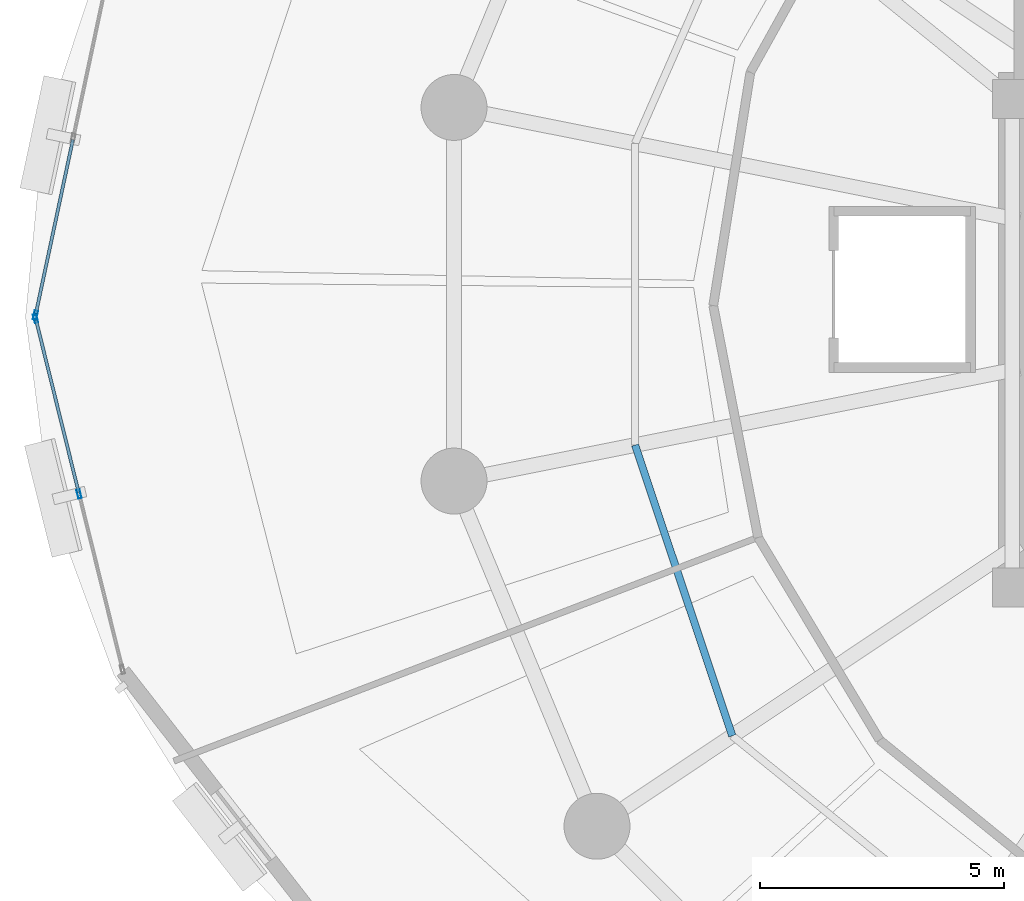
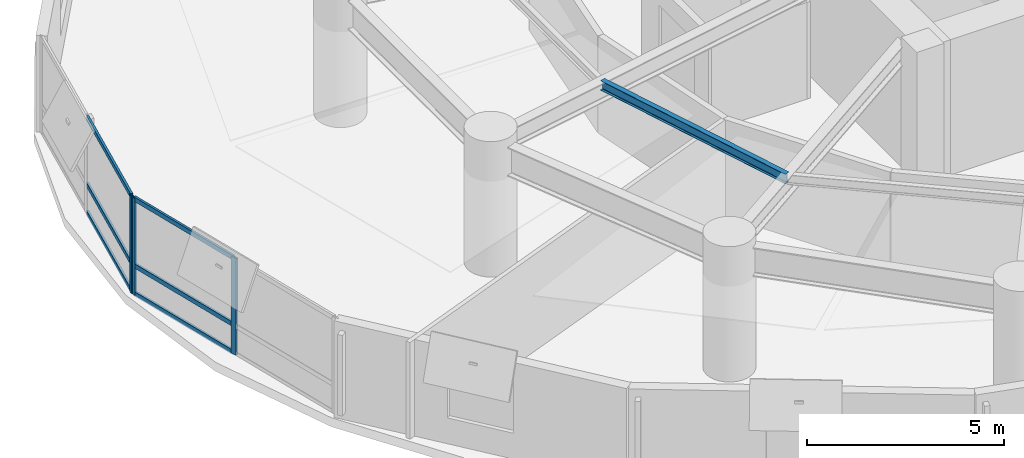
# One storey, part 4 of 17: 9 members, 1 beam, 2 elements without a shape of their own.
"""IFC4 building model written with IfcOpenShell, lengths in metres."""

from ifc_helpers import new_model, si_unit, direction, frame, origin, origin_2d, place, context, subcontext, project, spatial, hollow_rectangle, i_section, extrude, material, layer, layer_set, material_profile, profile_set, type_object, element, aggregate, save


model = new_model("IFC4")

# Units and contexts
model_context = context("Model", 3, precision=1e-05, world=origin(), true_north=direction((0.0, 1.0)))
body_context = subcontext(model_context, "Body", "Model", "MODEL_VIEW")
ifc_project = project(units=[si_unit("LENGTHUNIT", "METRE"), si_unit("AREAUNIT", "SQUARE_METRE"), si_unit("VOLUMEUNIT", "CUBIC_METRE"), si_unit("PLANEANGLEUNIT", "RADIAN"), si_unit("MASSUNIT", "GRAM", prefix="KILO"), si_unit("THERMODYNAMICTEMPERATUREUNIT", "KELVIN"), si_unit("POWERUNIT", "WATT")], contexts=[model_context])

# Site, building, storey
site_placement = place(None, origin())
site = spatial("IfcSite", under=ifc_project, at=site_placement, CompositionType="ELEMENT")
building_placement = place(site_placement, origin())
building = spatial("IfcBuilding", under=site, at=building_placement, Name="Ocrelia Relay Tower", CompositionType="ELEMENT")
storey_placement = place(building_placement, frame((0.0, 0.0, 34.199951171875)))
storey = spatial("IfcBuildingStorey", under=building, at=storey_placement, Name="L07", CompositionType="ELEMENT", Elevation=34.199951171875)

# Beam
ifc_material_1 = material(Name="Steel S355", Category="steel")
ifc_material_profile_1 = material_profile(ifc_material_1, i_section(OverallWidth=0.14990234375, OverallDepth=0.300048828125, WebThickness=0.007080078125, FlangeThickness=0.0107421875, FilletRadius=0.014892578125, at=origin_2d()), Name="IPE 300")
ifc_profile_set_1 = profile_set([ifc_material_profile_1], Name="Steel S355")
beam_type = type_object("IfcBeamType", Name="BM-IPE300", PredefinedType="JOIST", material=ifc_profile_set_1)
beam_placement = place(storey_placement, frame((18.481689453125, 22.9130859375, 3.77001953125), z_axis=(0.317067865999, -0.948402851298, 0.0), x_axis=(0.948402851298, 0.317067865999, 0.0)))
element("IfcBeam", 1, at=beam_placement, inside=storey, type_object=beam_type, Name="L07 Secondary Floor Joist J09", PredefinedType="JOIST", context=body_context, shape_type="SweptSolid", body=[
    extrude(i_section(OverallWidth=0.14990234375, OverallDepth=0.300048828125, WebThickness=0.007080078125, FlangeThickness=0.0107421875, FilletRadius=0.014892578125, at=origin_2d()), origin(), (0.0, 0.0, 1.0), 6.276123046875),
])

# Curtain wall, member
ifc_material_2 = material(Name="Aluminium and solar-control low-E glass", Category="aluminium")
ifc_layer = layer(ifc_material_2, 0.179931640625, Name="Aluminium and solar-control low-E glass")
ifc_layer_set = layer_set([ifc_layer], Name="Aluminium and solar-control low-E glass")
curtain_wall_type = type_object("IfcCurtainWallType", Name="CW-SYS-Z1-DATA", PredefinedType="NOTDEFINED", material=ifc_layer_set)
curtain_wall_1_placement = place(storey_placement, origin())
curtain_wall_1 = element("IfcCurtainWall", 2, at=curtain_wall_1_placement, inside=storey, type_object=curtain_wall_type, Name="L07 Elliptical Tower Curtain Wall Bay 09", PredefinedType="NOTDEFINED")
ifc_material_3 = material(Name="Anodised bronze aluminium", Category="aluminium")
ifc_material_profile_2 = material_profile(ifc_material_3, hollow_rectangle(XDim=0.070068359375, YDim=0.179931640625, WallThickness=0.006103515625, at=origin_2d()), Name="CW-MUL-180x70")
ifc_profile_set_2 = profile_set([ifc_material_profile_2], Name="Anodised bronze aluminium")
member_type_1 = type_object("IfcMemberType", Name="CW-SYS-Z1-DATA-MUL", PredefinedType="MULLION", material=ifc_profile_set_2)
member_1_placement = place(storey_placement, frame((6.211181640625, 25.5732421875, 0.0), z_axis=(0.0, 0.0, 1.0), x_axis=(0.978108709763, -0.208094574378, 0.0)))
member_1 = element("IfcMember", 3, at=member_1_placement, type_object=member_type_1, Name="CW-Z1 mullion 3", PredefinedType="MULLION", context=body_context, shape_type="SweptSolid", body=[
    extrude(hollow_rectangle(XDim=0.070068359375, YDim=0.179931640625, WallThickness=0.006103515625, at=origin_2d()), origin(), (0.0, 0.0, 1.0), 3.0),
])

# Curtain wall, members
curtain_wall_2_placement = place(storey_placement, origin())
curtain_wall_2 = element("IfcCurtainWall", 4, at=curtain_wall_2_placement, inside=storey, type_object=curtain_wall_type, Name="L07 Elliptical Tower Curtain Wall Bay 10", PredefinedType="NOTDEFINED")
member_2_placement = place(storey_placement, frame((6.212158203125, 25.505126953125, 0.0), z_axis=(0.0, 0.0, 1.0), x_axis=(0.970674438779, 0.240397865841, 0.0)))
member_2 = element("IfcMember", 5, at=member_2_placement, type_object=member_type_1, Name="CW-Z1 mullion 1", PredefinedType="MULLION", context=body_context, shape_type="SweptSolid", body=[
    extrude(hollow_rectangle(XDim=0.070068359375, YDim=0.179931640625, WallThickness=0.006103515625, at=origin_2d()), origin(), (0.0, 0.0, 1.0), 3.0),
])
member_3_placement = place(storey_placement, frame((7.102294921875, 21.910888671875, 0.0), z_axis=(0.0, 0.0, 1.0), x_axis=(0.970674438779, 0.240397865841, 0.0)))
member_3 = element("IfcMember", 6, at=member_3_placement, type_object=member_type_1, Name="CW-Z1 mullion 2", PredefinedType="MULLION", context=body_context, shape_type="SweptSolid", body=[
    extrude(hollow_rectangle(XDim=0.070068359375, YDim=0.179931640625, WallThickness=0.006103515625, at=origin_2d()), origin(), (0.0, 0.0, 1.0), 3.0),
])

# Member
ifc_material_profile_3 = material_profile(ifc_material_3, hollow_rectangle(XDim=0.06494140625, YDim=0.139892578125, WallThickness=0.0048828125, at=origin_2d()), Name="CW-TRN-140x65")
ifc_profile_set_3 = profile_set([ifc_material_profile_3], Name="Anodised bronze aluminium")
member_type_2 = type_object("IfcMemberType", Name="CW-SYS-Z1-DATA-TRN", PredefinedType="USERDEFINED", material=ifc_profile_set_3)
member_4_placement = place(storey_placement, frame((6.974365234375, 29.16064453125, 0.032470703125), z_axis=(-0.208147317887, -0.97809748699, 0.0), x_axis=(0.97809748699, -0.208147317887, 0.0)))
member_4 = element("IfcMember", 7, at=member_4_placement, type_object=member_type_2, Name="CW-Z1 transom 2.1", ObjectType="TRANSOM", PredefinedType="USERDEFINED", context=body_context, shape_type="SweptSolid", body=[
    extrude(hollow_rectangle(XDim=0.06494140625, YDim=0.139892578125, WallThickness=0.0048828125, at=origin_2d()), origin(), (0.0, 0.0, 1.0), 3.632568359375),
])

member_5_placement = place(storey_placement, frame((6.974365234375, 29.16064453125, 0.900146484375), z_axis=(-0.208147317887, -0.97809748699, 0.0), x_axis=(0.97809748699, -0.208147317887, 0.0)))
member_5 = element("IfcMember", 8, at=member_5_placement, type_object=member_type_2, Name="CW-Z1 transom 2.2", ObjectType="TRANSOM", PredefinedType="USERDEFINED", context=body_context, shape_type="SweptSolid", body=[
    extrude(hollow_rectangle(XDim=0.06494140625, YDim=0.139892578125, WallThickness=0.0048828125, at=origin_2d()), origin(), (0.0, 0.0, 1.0), 3.632568359375),
])

member_6_placement = place(storey_placement, frame((6.974365234375, 29.16064453125, 2.967529296875), z_axis=(-0.208147317887, -0.97809748699, 0.0), x_axis=(0.97809748699, -0.208147317887, 0.0)))
member_6 = element("IfcMember", 9, at=member_6_placement, type_object=member_type_2, Name="CW-Z1 transom 2.3", ObjectType="TRANSOM", PredefinedType="USERDEFINED", context=body_context, shape_type="SweptSolid", body=[
    extrude(hollow_rectangle(XDim=0.06494140625, YDim=0.139892578125, WallThickness=0.0048828125, at=origin_2d()), origin(), (0.0, 0.0, 1.0), 3.632568359375),
])

aggregate(curtain_wall_1, [member_1, member_4, member_5, member_6])

member_7_placement = place(storey_placement, frame((6.220703125, 25.47119140625, 0.032470703125), z_axis=(0.240384538469, -0.970677739348, 0.0), x_axis=(0.970677739348, 0.240384538469, 0.0)))
member_7 = element("IfcMember", 10, at=member_7_placement, type_object=member_type_2, Name="CW-Z1 transom 1.1", ObjectType="TRANSOM", PredefinedType="USERDEFINED", context=body_context, shape_type="SweptSolid", body=[
    extrude(hollow_rectangle(XDim=0.06494140625, YDim=0.139892578125, WallThickness=0.0048828125, at=origin_2d()), origin(), (0.0, 0.0, 1.0), 3.6328125),
])

member_8_placement = place(storey_placement, frame((6.220703125, 25.47119140625, 0.900146484375), z_axis=(0.240384538469, -0.970677739348, 0.0), x_axis=(0.970677739348, 0.240384538469, 0.0)))
member_8 = element("IfcMember", 11, at=member_8_placement, type_object=member_type_2, Name="CW-Z1 transom 1.2", ObjectType="TRANSOM", PredefinedType="USERDEFINED", context=body_context, shape_type="SweptSolid", body=[
    extrude(hollow_rectangle(XDim=0.06494140625, YDim=0.139892578125, WallThickness=0.0048828125, at=origin_2d()), origin(), (0.0, 0.0, 1.0), 3.6328125),
])

member_9_placement = place(storey_placement, frame((6.220703125, 25.47119140625, 2.967529296875), z_axis=(0.240384538469, -0.970677739348, 0.0), x_axis=(0.970677739348, 0.240384538469, 0.0)))
member_9 = element("IfcMember", 12, at=member_9_placement, type_object=member_type_2, Name="CW-Z1 transom 1.3", ObjectType="TRANSOM", PredefinedType="USERDEFINED", context=body_context, shape_type="SweptSolid", body=[
    extrude(hollow_rectangle(XDim=0.06494140625, YDim=0.139892578125, WallThickness=0.0048828125, at=origin_2d()), origin(), (0.0, 0.0, 1.0), 3.6328125),
])

aggregate(curtain_wall_2, [member_2, member_3, member_7, member_8, member_9])

save(model, "model.ifc")
